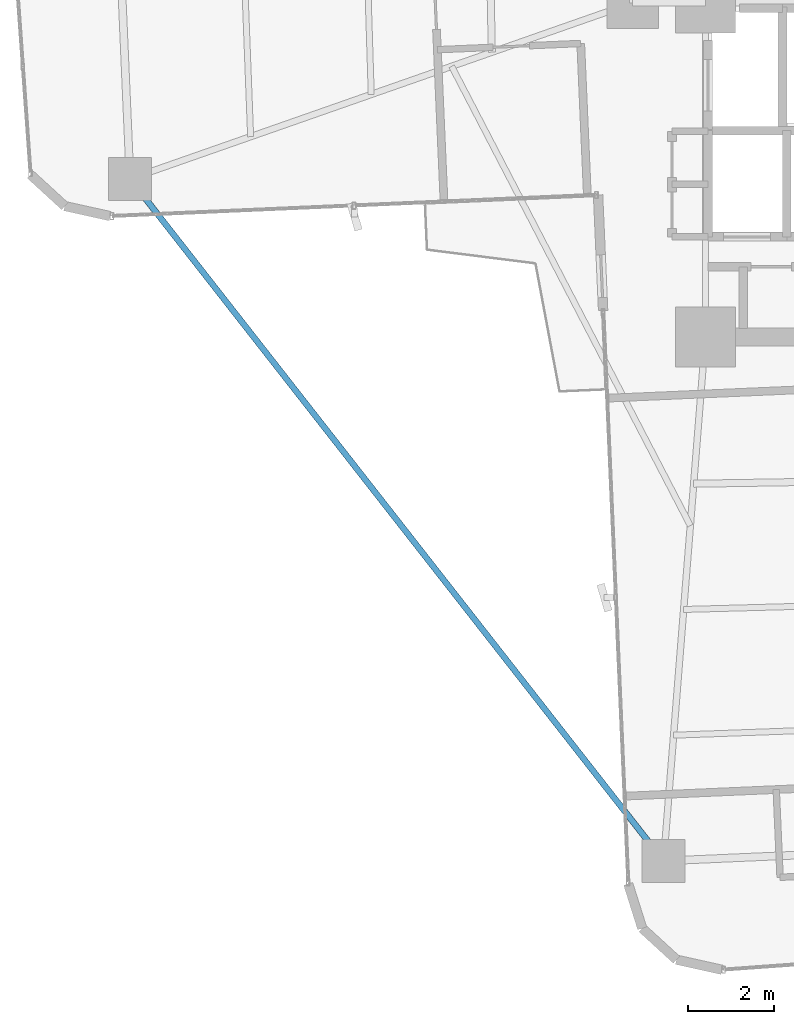
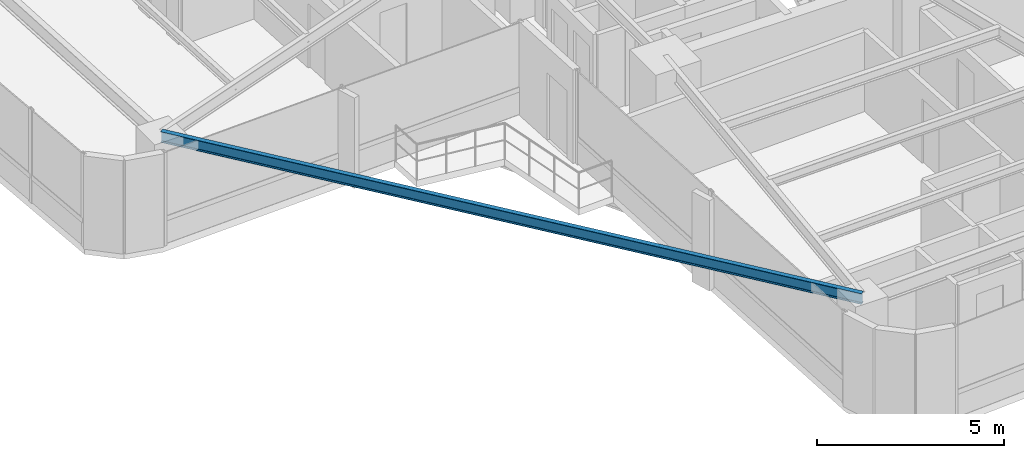
# One storey, part 3 of 27: 1 beam.
"""IFC4 building model written with IfcOpenShell, lengths in metres."""

from ifc_helpers import new_model, si_unit, direction, frame, origin, origin_2d, place, context, subcontext, project, spatial, i_section, extrude, source, transform, mapped, material, material_profile, profile_set, type_object, element, save


model = new_model("IFC4")

# Units and contexts
model_context = context("Model", 3, precision=1e-05, world=origin(), true_north=direction((0.0, 1.0)))
body_context = subcontext(model_context, "Body", "Model", "MODEL_VIEW")
ifc_project = project(units=[si_unit("LENGTHUNIT", "METRE"), si_unit("AREAUNIT", "SQUARE_METRE"), si_unit("VOLUMEUNIT", "CUBIC_METRE"), si_unit("PLANEANGLEUNIT", "RADIAN"), si_unit("MASSUNIT", "GRAM", prefix="KILO")], contexts=[model_context])

# Site, building, storey
site_placement = place(None, origin())
site = spatial("IfcSite", under=ifc_project, at=site_placement, CompositionType="ELEMENT")
building_placement = place(site_placement, origin())
building = spatial("IfcBuilding", under=site, at=building_placement, Name="Sahyath Konkavel Grand Hotel", CompositionType="ELEMENT")
storey_placement = place(building_placement, frame((0.0, 0.0, 103.60009765625)))
storey = spatial("IfcBuildingStorey", under=building, at=storey_placement, Name="L28", CompositionType="ELEMENT", Elevation=103.60009765625)

# Beam
ifc_material = material(Name="Steel E350", Category="steel")
ifc_material_profile = material_profile(ifc_material, i_section(OverallWidth=0.139892578125, OverallDepth=0.35009765625, WebThickness=0.008056640625, FlangeThickness=0.01416015625, FilletRadius=0.013916015625, at=origin_2d()), Name="ISMB 350")
ifc_profile_set = profile_set([ifc_material_profile], Name="Steel E350")
beam_type = type_object("IfcBeamType", Name="BM-ISMB350", PredefinedType="BEAM", material=ifc_profile_set)
shared_shape = source(origin(), body_context, "Body", "SweptSolid", [
    extrude(i_section(OverallWidth=0.139892578125, OverallDepth=0.35009765625, WebThickness=0.008056640625, FlangeThickness=0.01416015625, FilletRadius=0.013916015625, at=origin_2d()), origin(), (0.0, 0.0, 1.0), 20.215576171875),
])
beam_placement = place(storey_placement, frame((-17.232421875, -6.5078125, 2.875), z_axis=(0.616176369687, -0.787608203004, 0.0), x_axis=(0.787608203004, 0.616176369687, 0.0)))
element("IfcBeam", 1, at=beam_placement, inside=storey, type_object=beam_type, Name="L28 Re-Entrant Tie Beam SW", PredefinedType="BEAM", context=body_context, shape_type="MappedRepresentation", body=[
    mapped(shared_shape, transform((0.0, 0.0, 0.0), scale=1.0)),
])

save(model, "model.ifc")
